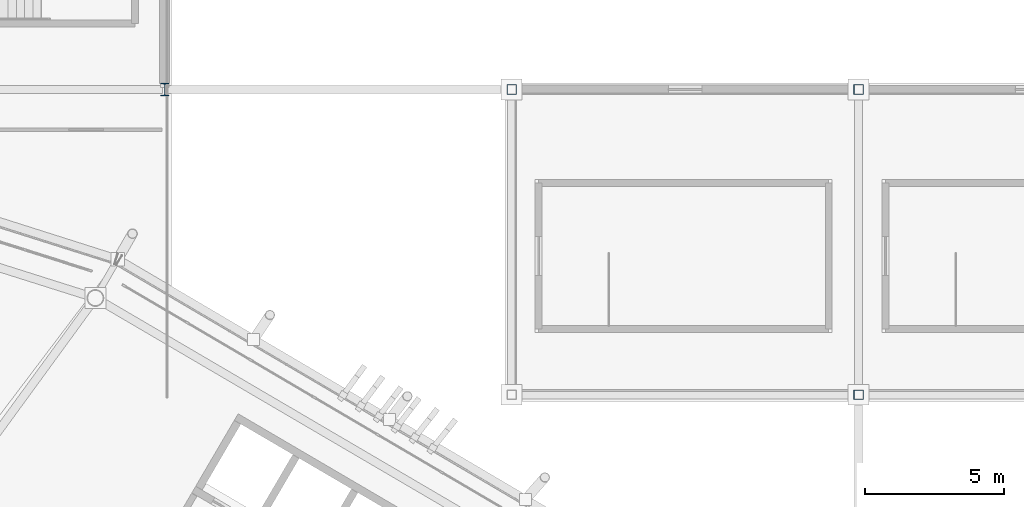
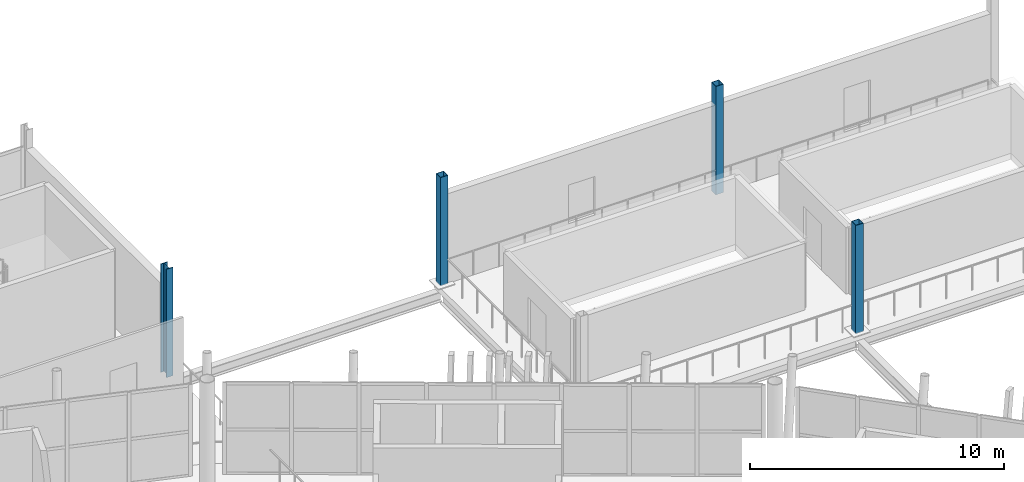
# One storey, part 21 of 178: 4 columns.
"""IFC4 building model written with IfcOpenShell, lengths in metres."""

from ifc_helpers import new_model, si_unit, direction, frame, origin, origin_2d, place, context, subcontext, project, spatial, hollow_rectangle, i_section, extrude, material, material_profile, profile_set, type_object, element, save


model = new_model("IFC4")

# Units and contexts
model_context = context("Model", 3, precision=1e-05, world=origin(), true_north=direction((0.0, 1.0)))
body_context = subcontext(model_context, "Body", "Model", "MODEL_VIEW")
ifc_project = project(units=[si_unit("LENGTHUNIT", "METRE"), si_unit("AREAUNIT", "SQUARE_METRE"), si_unit("VOLUMEUNIT", "CUBIC_METRE"), si_unit("PLANEANGLEUNIT", "RADIAN"), si_unit("MASSUNIT", "GRAM", prefix="KILO")], contexts=[model_context])

# Site, building, storey
site_placement = place(None, origin())
site = spatial("IfcSite", under=ifc_project, at=site_placement, CompositionType="ELEMENT")
building_placement = place(site_placement, origin())
building = spatial("IfcBuilding", under=site, at=building_placement, Name="Zlatoyarsky Gate Stadium", CompositionType="ELEMENT")
storey_placement = place(building_placement, frame((0.0, 0.0, 5.39990234375)))
storey = spatial("IfcBuildingStorey", under=building, at=storey_placement, Name="L01", CompositionType="ELEMENT", Elevation=5.39990234375)

# Columns
ifc_material = material(Name="Steel S355", Category="steel")
ifc_material_profile_1 = material_profile(ifc_material, i_section(OverallWidth=0.300048828125, OverallDepth=0.449951171875, WebThickness=0.013916015625, FlangeThickness=0.02587890625, FilletRadius=0.027099609375, at=origin_2d()), Name="HEB 450")
ifc_profile_set_1 = profile_set([ifc_material_profile_1], Name="Steel S355")
column_type_1 = type_object("IfcColumnType", Name="STEEL COLUMN HEB 450", PredefinedType="COLUMN", material=ifc_profile_set_1)
column_placement = place(storey_placement, frame((160.0, 149.0, 0.0), z_axis=(0.0, 0.0, 1.0), x_axis=(1.0, 0.0, 0.0)))
element("IfcColumn", 1, at=column_placement, inside=storey, type_object=column_type_1, Name="Column ST-C450 WG-14-P on L01", PredefinedType="COLUMN", context=body_context, shape_type="SweptSolid", body=[
    extrude(i_section(OverallWidth=0.300048828125, OverallDepth=0.449951171875, WebThickness=0.013916015625, FlangeThickness=0.02587890625, FilletRadius=0.027099609375, at=origin_2d()), origin(), (0.0, 0.0, 1.0), 5.2001953125),
])
ifc_material_profile_2 = material_profile(ifc_material, hollow_rectangle(XDim=0.35009765625, YDim=0.35009765625, WallThickness=0.02001953125, at=origin_2d()), Name="SHS 350X350X20")
ifc_profile_set_2 = profile_set([ifc_material_profile_2], Name="Steel S355")
column_type_2 = type_object("IfcColumnType", Name="STEEL SQUARE COLUMN SHS 350X350X20", PredefinedType="COLUMN", material=ifc_profile_set_2)
for number, where, z_axis, x_axis, name in (
    (2, (172.5, 149.0, 0.0), (0.0, 0.0, 1.0), (1.0, 0.0, 0.0), "Column ST-CS350 WG-15-P on L01"),
    (3, (185.0, 138.0, 0.0), (0.0, 0.0, 1.0), (1.0, 0.0, 0.0), "Column ST-CS350 WG-16-N on L01"),
    (4, (185.0, 149.0, 0.0), (0.0, 0.0, 1.0), (1.0, 0.0, 0.0), "Column ST-CS350 WG-16-P on L01"),
):
    element("IfcColumn", number, at=place(storey_placement, frame(where, z_axis=z_axis, x_axis=x_axis)), inside=storey, type_object=column_type_2, Name=name, PredefinedType="COLUMN", context=body_context, shape_type="SweptSolid", body=[
        extrude(hollow_rectangle(XDim=0.35009765625, YDim=0.35009765625, WallThickness=0.02001953125, at=origin_2d()), origin(), (0.0, 0.0, 1.0), 5.2001953125),
    ])

save(model, "model.ifc")
